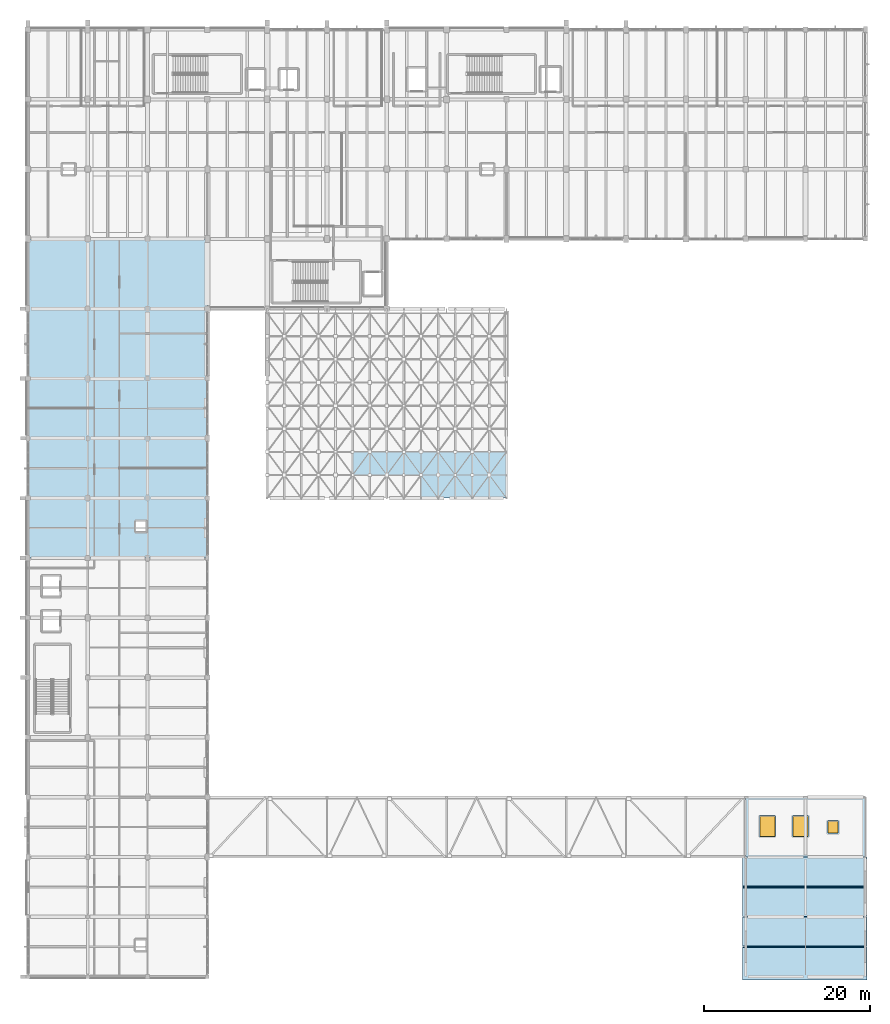
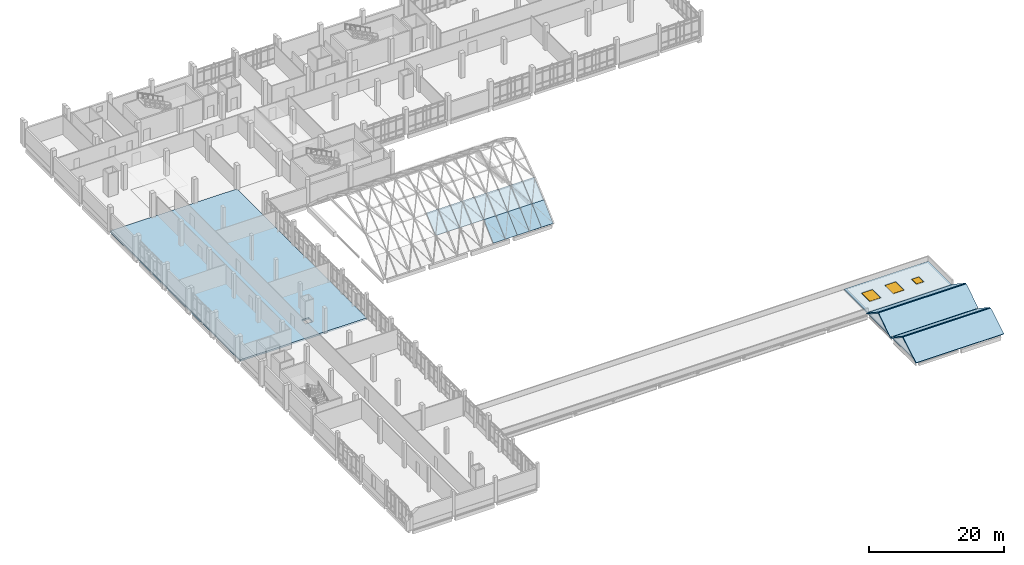
# One storey, part 62 of 87: 14 plates, 6 slabs, 2 windows, 1 door, 3 openings.
"""IFC4 building model written with IfcOpenShell, lengths in metres."""

import ifcopenshell
import ifcopenshell.guid

model = None  # the IFC model being written
_history = None  # IfcOwnerHistory: only IFC2X3 demands one
_inside = {}  # id of a spatial element -> (the spatial element, [elements in it])
_under = {}  # id of a project, library or spatial element -> (it, [spatial elements below it])
_declared = {}  # id of a project -> (the project, [libraries it declares])
_typed = {}  # id of a type object -> (the type object, [elements of that type])
_made_of = {}  # id of a material, layer set ... -> (it, [elements and type objects made of it])


def new_model(schema):
    """Start an empty IFC model of exactly this schema.

    Asked for "IFC4X3", IfcOpenShell would pick the latest addendum, in which some entities
    have other attributes; the version numbers below select the first issue.
    IFC2X3 requires an IfcOwnerHistory on every rooted entity: one is made here for all.
    """
    global model, _history
    if schema == "IFC4X3":
        model = ifcopenshell.file(schema_version=(4, 3, 0, 0))
    else:
        model = ifcopenshell.file(schema=schema)
    _inside.clear()
    _under.clear()
    _declared.clear()
    _typed.clear()
    _made_of.clear()
    _history = None
    if model.schema == "IFC2X3":
        org = make("IfcOrganization", Name="unknown")
        user = make(
            "IfcPersonAndOrganization",
            ThePerson=make("IfcPerson", FamilyName="unknown"),
            TheOrganization=org,
        )
        app = make(
            "IfcApplication",
            ApplicationDeveloper=org,
            Version="unknown",
            ApplicationFullName="unknown",
            ApplicationIdentifier="unknown",
        )
        _history = make(
            "IfcOwnerHistory",
            OwningUser=user,
            OwningApplication=app,
            ChangeAction="ADDED",
            CreationDate=0,
        )
    return model


def make(cls, **values):
    """One entity of the class cls with the attributes given. An attribute that is None is left unset."""
    return model.create_entity(
        cls, **{name: value for name, value in values.items() if value is not None}
    )


def rooted(cls, **values):
    """An entity with a GlobalId (a new one), such as an element, a storey or a relation."""
    return make(cls, GlobalId=ifcopenshell.guid.new(), OwnerHistory=_history, **values)


def si_unit(unit_type, name, prefix=None):
    """IfcSIUnit, for example si_unit("LENGTHUNIT", "METRE", prefix="MILLI")."""
    return make("IfcSIUnit", UnitType=unit_type, Prefix=prefix, Name=name)


def assignment(units):
    """IfcUnitAssignment: the units of a project."""
    return None if units is None else make("IfcUnitAssignment", Units=units)


def point(xyz):
    """IfcCartesianPoint."""
    return None if xyz is None else make("IfcCartesianPoint", Coordinates=xyz)


def direction(xyz):
    """IfcDirection."""
    return None if xyz is None else make("IfcDirection", DirectionRatios=xyz)


def frame(location, z_axis=None, x_axis=None):
    """IfcAxis2Placement3D, a coordinate frame: its origin and axes. An axis left out is left unset."""
    return make(
        "IfcAxis2Placement3D",
        Location=point(location),
        Axis=direction(z_axis),
        RefDirection=direction(x_axis),
    )


def frame_2d(location, x_axis=None):
    """IfcAxis2Placement2D, a coordinate frame in the plane: its origin and x axis."""
    return make(
        "IfcAxis2Placement2D", Location=point(location), RefDirection=direction(x_axis)
    )


def origin():
    """The frame at (0, 0, 0) with its axes left unset."""
    return frame((0.0, 0.0, 0.0))


def origin_2d():
    """The frame at (0, 0) in the plane with its x axis left unset."""
    return frame_2d((0.0, 0.0))


def place(relative_to, where):
    """IfcLocalPlacement: puts the frame where relative to a parent placement (None: the world)."""
    return make(
        "IfcLocalPlacement", PlacementRelTo=relative_to, RelativePlacement=where
    )


def context(
    kind, dimensions, precision=None, world=None, true_north=None, identifier=None
):
    """IfcGeometricRepresentationContext, for example the 3D "Model" context."""
    return make(
        "IfcGeometricRepresentationContext",
        ContextIdentifier=identifier,
        ContextType=kind,
        CoordinateSpaceDimension=dimensions,
        Precision=precision,
        WorldCoordinateSystem=world,
        TrueNorth=true_north,
    )


def subcontext(parent, identifier, kind, view, scale=None):
    """IfcGeometricRepresentationSubContext, for example "Body" below "Model"."""
    return make(
        "IfcGeometricRepresentationSubContext",
        ContextIdentifier=identifier,
        ContextType=kind,
        ParentContext=parent,
        TargetScale=scale,
        TargetView=view,
    )


def project(units=None, contexts=None):
    """IfcProject with its units and contexts."""
    return rooted(
        "IfcProject",
        Name="project",
        RepresentationContexts=contexts,
        UnitsInContext=assignment(units),
    )


def spatial(cls, under=None, at=None, **own):
    """A site, building, storey or space (cls), placed at a placement, below another one or the project."""
    s = rooted(cls, ObjectPlacement=at, **own)
    if under is not None:
        _under.setdefault(under.id(), (under, []))[1].append(s)
    return s


def polyline(points):
    """IfcPolyline through the points."""
    return make("IfcPolyline", Points=[point(p) for p in points])


def profile(cls, at=None, kind="AREA", **sizes):
    """A parametric profile (cls). Its sizes go by their IFC names, for example OverallWidth=200.0."""
    return make(cls, ProfileType=kind, Position=at, **sizes)


def rectangle(**sizes):
    """IfcRectangleProfileDef."""
    return profile("IfcRectangleProfileDef", **sizes)


def outline(outer, holes=None, kind="AREA"):
    """IfcArbitraryClosedProfileDef: a profile drawn as a closed curve; with holes, ...WithVoids."""
    if holes is None:
        return make("IfcArbitraryClosedProfileDef", ProfileType=kind, OuterCurve=outer)
    return make(
        "IfcArbitraryProfileDefWithVoids",
        ProfileType=kind,
        OuterCurve=outer,
        InnerCurves=holes,
    )


def extrude(swept, where, along, depth):
    """IfcExtrudedAreaSolid: the profile swept, set in the frame where, extruded along a direction by depth."""
    return make(
        "IfcExtrudedAreaSolid",
        SweptArea=swept,
        Position=where,
        ExtrudedDirection=direction(along),
        Depth=depth,
    )


def shape(context_of_items, identifier, shape_type, items):
    """IfcShapeRepresentation: the items that make up one representation, for example the "Body"."""
    return make(
        "IfcShapeRepresentation",
        ContextOfItems=context_of_items,
        RepresentationIdentifier=identifier,
        RepresentationType=shape_type,
        Items=items,
    )


def material(Name=None, Category=None):
    """IfcMaterial."""
    return make("IfcMaterial", Name=Name, Category=Category)


def layer(
    of_material, thickness, ventilated=None, Name=None, Category=None, Priority=None
):
    """IfcMaterialLayer: one layer of a wall or slab, of a material (None: an air gap)."""
    return make(
        "IfcMaterialLayer",
        Material=of_material,
        LayerThickness=thickness,
        IsVentilated=ventilated,
        Name=Name,
        Category=Category,
        Priority=Priority,
    )


def layer_set(layers, Name=None):
    """IfcMaterialLayerSet."""
    return make("IfcMaterialLayerSet", MaterialLayers=layers, LayerSetName=Name)


def made_of(thing, what):
    """Note that an element or type object is made of a material, layer set ...; save() writes the relation."""
    if what is not None:
        _made_of.setdefault(what.id(), (what, []))[1].append(thing)
    return thing


def type_object(cls, material=None, **own):
    """A type object (cls), such as IfcWallType, which elements share."""
    return made_of(rooted(cls, **own), material)


def element(
    cls,
    number,
    at=None,
    inside=None,
    cuts=None,
    type_object=None,
    material=None,
    context=None,
    identifier="Body",
    shape_type=None,
    held_by="IfcProductDefinitionShape",
    body=None,
    shapes=None,
    **own,
):
    """One element of the class cls, such as IfcWall. Its Tag is "e" and its number.

    at: its placement. inside: the storey or other place that contains it. cuts: it is an
    opening in that element (IfcRelVoidsElement). A single representation is given by context,
    identifier, shape_type and body (its items); several are given by shapes. held_by: the class
    of the entity that holds the representations. save() writes the other relations.
    """
    e = rooted(cls, Tag="e%d" % number, ObjectPlacement=at, **own)
    if body is not None:
        shapes = [shape(context, identifier, shape_type, body)]
    if shapes is not None:
        e.Representation = make(held_by, Representations=shapes)
    if inside is not None:
        _inside.setdefault(inside.id(), (inside, []))[1].append(e)
    if cuts is not None:
        rooted(
            "IfcRelVoidsElement", RelatingBuildingElement=cuts, RelatedOpeningElement=e
        )
    if type_object is not None:
        _typed.setdefault(type_object.id(), (type_object, []))[1].append(e)
    return made_of(e, material)


def fill(opening, filler):
    """IfcRelFillsElement: the door or window that sits in an opening."""
    return rooted(
        "IfcRelFillsElement",
        RelatingOpeningElement=opening,
        RelatedBuildingElement=filler,
    )


def aggregate(whole, parts):
    """IfcRelAggregates: a whole, such as a stair, and the parts it consists of."""
    return rooted("IfcRelAggregates", RelatingObject=whole, RelatedObjects=parts)


def save(model, path):
    """Write the relations noted so far, then the file.

    IfcRelAggregates (storeys below a building ...), IfcRelContainedInSpatialStructure (elements
    in a storey), IfcRelDefinesByType, IfcRelAssociatesMaterial and IfcRelDeclares: one each for
    every whole, place, type object, material and project.
    """
    for whole, parts in _under.values():
        aggregate(whole, parts)
    for where, things in _inside.values():
        rooted(
            "IfcRelContainedInSpatialStructure",
            RelatedElements=things,
            RelatingStructure=where,
        )
    for kind, things in _typed.values():
        rooted("IfcRelDefinesByType", RelatedObjects=things, RelatingType=kind)
    for what, things in _made_of.values():
        rooted("IfcRelAssociatesMaterial", RelatedObjects=things, RelatingMaterial=what)
    for by, libraries in _declared.values():
        rooted("IfcRelDeclares", RelatingContext=by, RelatedDefinitions=libraries)
    model.write(path)


model = new_model("IFC4")

# Units and contexts
model_context = context("Model", 3, precision=1e-05, world=origin(), true_north=direction((0.0, 1.0)))
body_context = subcontext(model_context, "Body", "Model", "MODEL_VIEW")
ifc_project = project(units=[si_unit("LENGTHUNIT", "METRE"), si_unit("AREAUNIT", "SQUARE_METRE"), si_unit("VOLUMEUNIT", "CUBIC_METRE"), si_unit("PLANEANGLEUNIT", "RADIAN"), si_unit("MASSUNIT", "GRAM", prefix="KILO")], contexts=[model_context])

# Site, building, storey
site_placement = place(None, origin())
site = spatial("IfcSite", under=ifc_project, at=site_placement, CompositionType="ELEMENT")
building_placement = place(site_placement, origin())
building = spatial("IfcBuilding", under=site, at=building_placement, Name="Kalluvel Institute of Natural Sciences", CompositionType="ELEMENT")
storey_placement = place(building_placement, frame((0.0, 0.0, 18.89990234375)))
storey = spatial("IfcBuildingStorey", under=building, at=storey_placement, Name="L04", CompositionType="ELEMENT", Elevation=18.89990234375)

# Plates
ifc_material_1 = material(Name="Solar-Control Low-E Laminated Glass", Category="glass")
ifc_layer_1 = layer(ifc_material_1, 0.035888671875)
ifc_layer_set_1 = layer_set([ifc_layer_1], Name="Solar-Control Low-E Laminated Glass")
plate_type = type_object("IfcPlateType", Name="PL-VAULT-GLASS-36", PredefinedType="USERDEFINED", material=ifc_layer_set_1)
for number, where, z_axis, x_axis, name in (
    (1, (53.085693359375, 74.385009765625, 2.6787109375), (0.0, -0.651732680748, 0.758448754264), (1.0, 0.0, 0.0), "Atrium glass gridshell vault roof panel 6.2"),
    (2, (55.142822265625, 74.385009765625, 2.6787109375), (0.0, -0.651732680748, 0.758448754264), (1.0, 0.0, 0.0), "Atrium glass gridshell vault roof panel 7.2"),
    (3, (57.199951171875, 74.385009765625, 2.6787109375), (0.0, -0.651732680748, 0.758448754264), (1.0, 0.0, 0.0), "Atrium glass gridshell vault roof panel 8.2"),
    (4, (59.257080078125, 74.385009765625, 2.6787109375), (0.0, -0.651732680748, 0.758448754264), (1.0, 0.0, 0.0), "Atrium glass gridshell vault roof panel 9.2"),
):
    element("IfcPlate", number, at=place(storey_placement, frame(where, z_axis=z_axis, x_axis=x_axis)), inside=storey, type_object=plate_type, Name=name, ObjectType="VAULT GLAZING PANEL", PredefinedType="USERDEFINED", context=body_context, shape_type="SweptSolid", body=[
        extrude(outline(polyline([(0.0, 0.0), (2.05712890625, 0.0), (2.05712890625, 3.6718527042442486), (0.0, 3.6718527042442486), (0.0, 0.0)])), origin(), (0.0, 0.0, -1.0), 0.035888671875),
    ])
plate_1_placement = place(storey_placement, frame((61.314208984375, 71.60009765625, 0.09521484375), z_axis=(0.0, -0.680098507525, 0.73312074044), x_axis=(1.0, 0.0, 0.0)))
element("IfcPlate", 5, at=plate_1_placement, inside=storey, type_object=plate_type, Name="Atrium glass gridshell vault roof panel 10.1", ObjectType="VAULT GLAZING PANEL", PredefinedType="USERDEFINED", context=body_context, shape_type="SweptSolid", body=[
    extrude(outline(polyline([(0.0, 0.0), (2.05712890625, 0.0), (2.05712890625, 3.798708665239415), (0.0, 3.798708665239415), (0.0, 0.0)])), origin(), (0.0, 0.0, -1.0), 0.035888671875),
])
plate_2_placement = place(storey_placement, frame((61.314208984375, 74.385009765625, 2.6787109375), z_axis=(0.0, -0.651732680748, 0.758448754264), x_axis=(1.0, 0.0, 0.0)))
element("IfcPlate", 6, at=plate_2_placement, inside=storey, type_object=plate_type, Name="Atrium glass gridshell vault roof panel 10.2", ObjectType="VAULT GLAZING PANEL", PredefinedType="USERDEFINED", context=body_context, shape_type="SweptSolid", body=[
    extrude(outline(polyline([(0.0, 0.0), (2.05712890625, 0.0), (2.05712890625, 3.6718527042442486), (0.0, 3.6718527042442486), (0.0, 0.0)])), origin(), (0.0, 0.0, -1.0), 0.035888671875),
])
plate_3_placement = place(storey_placement, frame((63.371337890625, 71.60009765625, 0.09521484375), z_axis=(0.0, -0.680098507525, 0.73312074044), x_axis=(1.0, 0.0, 0.0)))
element("IfcPlate", 7, at=plate_3_placement, inside=storey, type_object=plate_type, Name="Atrium glass gridshell vault roof panel 11.1", ObjectType="VAULT GLAZING PANEL", PredefinedType="USERDEFINED", context=body_context, shape_type="SweptSolid", body=[
    extrude(outline(polyline([(0.0, 0.0), (2.057373046875, 0.0), (2.057373046875, 3.7987086652394155), (0.0, 3.7987086652394155), (0.0, 0.0)])), origin(), (0.0, 0.0, -1.0), 0.035888671875),
])
plate_4_placement = place(storey_placement, frame((63.371337890625, 74.385009765625, 2.6787109375), z_axis=(0.0, -0.651732680748, 0.758448754264), x_axis=(1.0, 0.0, 0.0)))
element("IfcPlate", 8, at=plate_4_placement, inside=storey, type_object=plate_type, Name="Atrium glass gridshell vault roof panel 11.2", ObjectType="VAULT GLAZING PANEL", PredefinedType="USERDEFINED", context=body_context, shape_type="SweptSolid", body=[
    extrude(outline(polyline([(0.0, 0.0), (2.057373046875, 0.0), (2.057373046875, 3.671852704244249), (0.0, 3.671852704244249), (0.0, 0.0)])), origin(), (0.0, 0.0, -1.0), 0.035888671875),
])
plate_5_placement = place(storey_placement, frame((65.4287109375, 71.60009765625, 0.09521484375), z_axis=(0.0, -0.680098507525, 0.73312074044), x_axis=(1.0, 0.0, 0.0)))
element("IfcPlate", 9, at=plate_5_placement, inside=storey, type_object=plate_type, Name="Atrium glass gridshell vault roof panel 12.1", ObjectType="VAULT GLAZING PANEL", PredefinedType="USERDEFINED", context=body_context, shape_type="SweptSolid", body=[
    extrude(outline(polyline([(0.0, 0.0), (2.056884765625, 0.0), (2.056884765625, 3.7987086652394155), (0.0, 3.7987086652394155), (0.0, 0.0)])), origin(), (0.0, 0.0, -1.0), 0.035888671875),
])
plate_6_placement = place(storey_placement, frame((65.4287109375, 74.385009765625, 2.6787109375), z_axis=(0.0, -0.651732680748, 0.758448754264), x_axis=(1.0, 0.0, 0.0)))
element("IfcPlate", 10, at=plate_6_placement, inside=storey, type_object=plate_type, Name="Atrium glass gridshell vault roof panel 12.2", ObjectType="VAULT GLAZING PANEL", PredefinedType="USERDEFINED", context=body_context, shape_type="SweptSolid", body=[
    extrude(outline(polyline([(0.0, 0.0), (2.056884765625, 0.0), (2.056884765625, 3.6718527042442486), (0.0, 3.6718527042442486), (0.0, 0.0)])), origin(), (0.0, 0.0, -1.0), 0.035888671875),
])
plate_7_placement = place(storey_placement, frame((67.485595703125, 71.60009765625, 0.09521484375), z_axis=(0.0, -0.680098507525, 0.73312074044), x_axis=(1.0, 0.0, 0.0)))
element("IfcPlate", 11, at=plate_7_placement, inside=storey, type_object=plate_type, Name="Atrium glass gridshell vault roof panel 13.1", ObjectType="VAULT GLAZING PANEL", PredefinedType="USERDEFINED", context=body_context, shape_type="SweptSolid", body=[
    extrude(outline(polyline([(0.0, 0.0), (2.057373046875, 0.0), (2.057373046875, 3.7987086652394155), (0.0, 3.7987086652394155), (0.0, 0.0)])), origin(), (0.0, 0.0, -1.0), 0.035888671875),
])
plate_8_placement = place(storey_placement, frame((67.485595703125, 74.385009765625, 2.6787109375), z_axis=(0.0, -0.651732680748, 0.758448754264), x_axis=(1.0, 0.0, 0.0)))
element("IfcPlate", 12, at=plate_8_placement, inside=storey, type_object=plate_type, Name="Atrium glass gridshell vault roof panel 13.2", ObjectType="VAULT GLAZING PANEL", PredefinedType="USERDEFINED", context=body_context, shape_type="SweptSolid", body=[
    extrude(outline(polyline([(0.0, 0.0), (2.057373046875, 0.0), (2.057373046875, 3.671852704244249), (0.0, 3.671852704244249), (0.0, 0.0)])), origin(), (0.0, 0.0, -1.0), 0.035888671875),
])
plate_9_placement = place(storey_placement, frame((69.54296875, 71.60009765625, 0.09521484375), z_axis=(0.0, -0.680098507525, 0.73312074044), x_axis=(1.0, 0.0, 0.0)))
element("IfcPlate", 13, at=plate_9_placement, inside=storey, type_object=plate_type, Name="Atrium glass gridshell vault roof panel 14.1", ObjectType="VAULT GLAZING PANEL", PredefinedType="USERDEFINED", context=body_context, shape_type="SweptSolid", body=[
    extrude(outline(polyline([(0.0, 0.0), (2.05712890625, 0.0), (2.05712890625, 3.798708665239415), (0.0, 3.798708665239415), (0.0, 0.0)])), origin(), (0.0, 0.0, -1.0), 0.035888671875),
])
plate_10_placement = place(storey_placement, frame((69.54296875, 74.385009765625, 2.6787109375), z_axis=(0.0, -0.651732680748, 0.758448754264), x_axis=(1.0, 0.0, 0.0)))
element("IfcPlate", 14, at=plate_10_placement, inside=storey, type_object=plate_type, Name="Atrium glass gridshell vault roof panel 14.2", ObjectType="VAULT GLAZING PANEL", PredefinedType="USERDEFINED", context=body_context, shape_type="SweptSolid", body=[
    extrude(outline(polyline([(0.0, 0.0), (2.05712890625, 0.0), (2.05712890625, 3.6718527042442486), (0.0, 3.6718527042442486), (0.0, 0.0)])), origin(), (0.0, 0.0, -1.0), 0.035888671875),
])

# Slabs
ifc_material_2 = material(Name="Concrete M40", Category="concrete")
ifc_layer_2 = layer(ifc_material_2, 0.300048828125)
ifc_layer_set_2 = layer_set([ifc_layer_2], Name="Concrete M40")
slab_type_1 = type_object("IfcSlabType", Name="SLB-DRY-300", PredefinedType="FLOOR", material=ifc_layer_set_2)
slab_1_placement = place(storey_placement, frame((0.0, 0.0, -0.2998046875)))
element("IfcSlab", 15, at=slab_1_placement, inside=storey, type_object=slab_type_1, Name="L04 Dry Laboratory Floor Slab N", PredefinedType="FLOOR", context=body_context, shape_type="SweptSolid", body=[
    extrude(outline(polyline([(14.0, 64.39990234375), (35.60009765625, 64.39990234375), (35.60009765625, 102.800048828125), (14.0, 102.800048828125), (14.0, 64.39990234375)]), holes=[polyline([(27.0, 67.60009765625), (27.0, 68.800048828125), (28.199951171875, 68.800048828125), (28.199951171875, 67.60009765625), (27.0, 67.60009765625)])]), origin(), (0.0, 0.0, 1.0), 0.2998046875),
])
ifc_material_3 = material(Name="Sadarahalli Granite Precast Concrete M45", Category="masonry")
ifc_layer_3 = layer(ifc_material_3, 0.179931640625)
ifc_layer_set_3 = layer_set([ifc_layer_3], Name="Sadarahalli Granite Precast Concrete M45")
slab_type_2 = type_object("IfcSlabType", Name="SLB-FOLD-180", PredefinedType="ROOF", material=ifc_layer_set_3)
slab_2_placement = place(storey_placement, frame((100.0, 13.60009765625, 0.160400390625), z_axis=(0.0, -0.50662584632, 0.862166023362), x_axis=(1.0, 0.0, 0.0)))
element("IfcSlab", 16, at=slab_2_placement, inside=storey, type_object=slab_type_2, Name="East Commons Gothic Pitched Roof South Slope 1", PredefinedType="ROOF", context=body_context, shape_type="SweptSolid", body=[
    extrude(outline(polyline([(0.0, 0.0), (15.0, 0.0), (15.0, 4.519696218633455), (0.0, 4.519696218633455), (0.0, 0.0)])), origin(), (0.0, 0.0, -1.0), 0.179931640625),
])
for number, where, z_axis, x_axis, name in (
    (17, (100.0, 17.71142578125, 2.4501953125), (0.0, 0.552338549332, 0.83361989355), (1.0, 0.0, 0.0), "East Commons Gothic Pitched Roof North Slope 1"),
    (18, (100.0, 21.22509765625, 0.1552734375), (0.0, -0.552338549332, 0.83361989355), (1.0, 0.0, 0.0), "East Commons Gothic Pitched Roof South Slope 2"),
):
    element("IfcSlab", number, at=place(storey_placement, frame(where, z_axis=z_axis, x_axis=x_axis)), inside=storey, type_object=slab_type_2, Name=name, PredefinedType="ROOF", context=body_context, shape_type="SweptSolid", body=[
        extrude(outline(polyline([(0.0, 0.0), (15.0, 0.0), (15.0, 4.154918894900017), (0.0, 4.154918894900017), (0.0, 0.0)])), origin(), (0.0, 0.0, -1.0), 0.179931640625),
    ])
slab_3_placement = place(storey_placement, frame((100.0, 24.910888671875, 2.4501953125), z_axis=(0.0, 0.549495161328, 0.835496898664), x_axis=(1.0, 0.0, 0.0)))
element("IfcSlab", 19, at=slab_3_placement, inside=storey, type_object=slab_type_2, Name="East Commons Gothic Pitched Roof North Slope 2", PredefinedType="ROOF", context=body_context, shape_type="SweptSolid", body=[
    extrude(outline(polyline([(0.0, 0.0), (15.0, 0.0), (15.0, 4.175974414093919), (0.0, 4.175974414093919), (0.0, 0.0)])), origin(), (0.0, 0.0, -1.0), 0.179931640625),
])

# Slab, openings, door, windows
ifc_layer_4 = layer(ifc_material_2, 0.25)
ifc_layer_set_4 = layer_set([ifc_layer_4], Name="Concrete M40")
slab_type_3 = type_object("IfcSlabType", Name="SLB-ROOF-250", PredefinedType="ROOF", material=ifc_layer_set_4)
slab_4_placement = place(storey_placement, frame((0.0, 0.0, -0.25)))
slab_4 = element("IfcSlab", 20, at=slab_4_placement, inside=storey, type_object=slab_type_3, Name="East Research Commons Structural Roof Slab", PredefinedType="ROOF", context=body_context, shape_type="SweptSolid", body=[
    extrude(outline(polyline([(100.39990234375, 14.0), (114.800048828125, 14.0), (114.800048828125, 35.60009765625), (100.39990234375, 35.60009765625), (100.39990234375, 14.0)])), origin(), (0.0, 0.0, 1.0), 0.25),
])
opening_1_placement = place(slab_4_placement, frame((103.0, 32.10009765625, 0.0)))
opening_1 = element("IfcOpeningElement", 21, at=opening_1_placement, cuts=slab_4, Name="Opening SK-03", PredefinedType="OPENING", context=body_context, shape_type="SweptSolid", body=[
    extrude(rectangle(XDim=1.840087890625, YDim=2.43994140625, at=origin_2d()), frame((0.0, 0.0, -0.050048828125)), (0.0, 0.0, 1.0), 0.400146484375),
])
opening_2_placement = place(slab_4_placement, frame((107.0, 32.10009765625, 0.0)))
opening_2 = element("IfcOpeningElement", 22, at=opening_2_placement, cuts=slab_4, Name="Opening SK-03", PredefinedType="OPENING", context=body_context, shape_type="SweptSolid", body=[
    extrude(rectangle(XDim=1.840087890625, YDim=2.43994140625, at=origin_2d()), frame((0.0, 0.0, -0.050048828125)), (0.0, 0.0, 1.0), 0.400146484375),
])
opening_3_placement = place(slab_4_placement, frame((110.89990234375, 32.0, 0.0)))
opening_3 = element("IfcOpeningElement", 23, at=opening_3_placement, cuts=slab_4, Name="Opening RH-06", PredefinedType="OPENING", context=body_context, shape_type="SweptSolid", body=[
    extrude(rectangle(XDim=1.239990234375, YDim=1.43994140625, at=origin_2d()), frame((0.0, 0.0, -0.050048828125)), (0.0, 0.0, 1.0), 0.400146484375),
])
ifc_material_4 = material(Name="Steel E350 Grade 350", Category="steel")
door_type = type_object("IfcDoorType", Name="DR-HATCH-1200", OperationType="NOTDEFINED", PredefinedType="TRAPDOOR", material=ifc_material_4)
door_placement = place(opening_3_placement, frame((0.0, 0.0, 0.25)))
door = element("IfcDoor", 24, at=door_placement, inside=storey, type_object=door_type, Name="L04 maintenance roof access hatch RH-06", OperationType="SINGLE_SWING_LEFT", OverallHeight=1.39990234375, OverallWidth=1.199951171875, PredefinedType="TRAPDOOR", context=body_context, shape_type="SweptSolid", body=[
    extrude(rectangle(XDim=1.199951171875, YDim=1.39990234375, at=origin_2d()), origin(), (0.0, 0.0, 1.0), 0.050048828125),
])
fill(opening_3, door)
window_type = type_object("IfcWindowType", Name="SK-ROOF-180x240", PartitioningType="SINGLE_PANEL", PredefinedType="SKYLIGHT", material=ifc_material_1)
window_1_placement = place(opening_1_placement, frame((0.0, 0.0, 0.25)))
window_1 = element("IfcWindow", 25, at=window_1_placement, inside=storey, type_object=window_type, Name="L04 insulated roof skylight SK-07", OverallHeight=2.39990234375, OverallWidth=1.800048828125, PartitioningType="SINGLE_PANEL", PredefinedType="SKYLIGHT", context=body_context, shape_type="SweptSolid", body=[
    extrude(rectangle(XDim=1.800048828125, YDim=2.39990234375, at=origin_2d()), origin(), (0.0, 0.0, 1.0), 0.050048828125),
])
fill(opening_1, window_1)
window_2_placement = place(opening_2_placement, frame((0.0, 0.0, 0.25)))
window_2 = element("IfcWindow", 26, at=window_2_placement, inside=storey, type_object=window_type, Name="L04 insulated roof skylight SK-08", OverallHeight=2.39990234375, OverallWidth=1.800048828125, PartitioningType="SINGLE_PANEL", PredefinedType="SKYLIGHT", context=body_context, shape_type="SweptSolid", body=[
    extrude(rectangle(XDim=1.800048828125, YDim=2.39990234375, at=origin_2d()), origin(), (0.0, 0.0, 1.0), 0.050048828125),
])
fill(opening_2, window_2)

save(model, "model.ifc")
